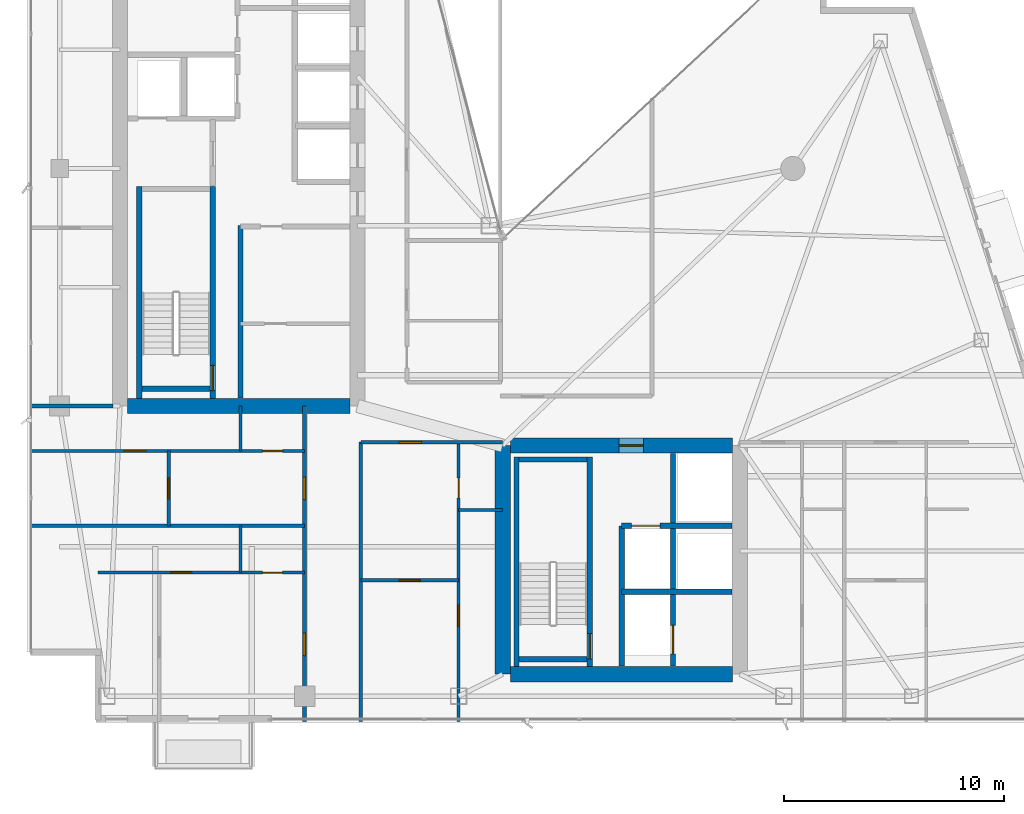
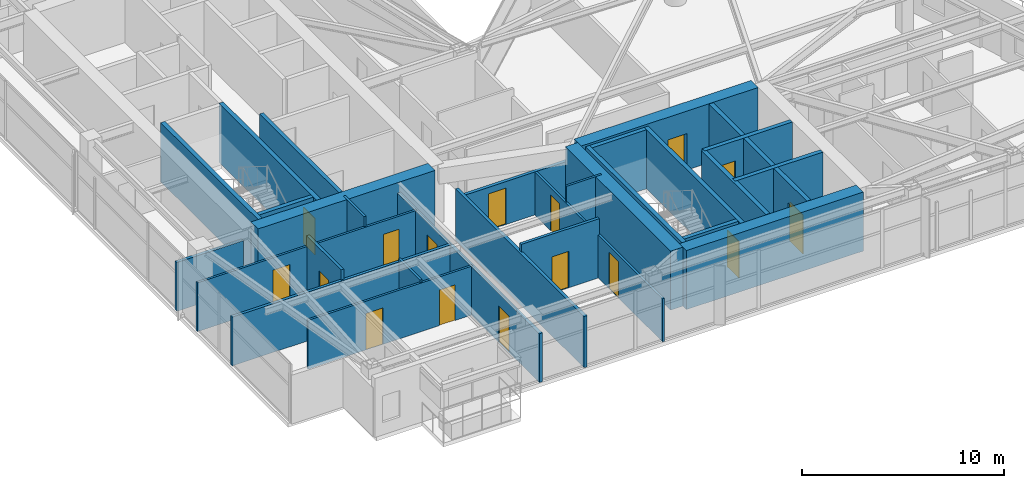
# One storey, part 22 of 27: 29 walls, 16 doors, 16 openings.
"""IFC4 building model written with IfcOpenShell, lengths in metres."""

from ifc_helpers import new_model, si_unit, direction, frame, frame_2d, origin, place, context, subcontext, project, spatial, rectangle, extrude, material, layer, layer_set, type_object, element, fill, save


model = new_model("IFC4")

# Units and contexts
model_context = context("Model", 3, precision=1e-05, world=origin(), true_north=direction((0.0, 1.0)))
body_context = subcontext(model_context, "Body", "Model", "MODEL_VIEW")
ifc_project = project(units=[si_unit("LENGTHUNIT", "METRE"), si_unit("AREAUNIT", "SQUARE_METRE"), si_unit("VOLUMEUNIT", "CUBIC_METRE"), si_unit("PLANEANGLEUNIT", "RADIAN"), si_unit("MASSUNIT", "GRAM", prefix="KILO")], contexts=[model_context])

# Site, building, storey
site_placement = place(None, origin())
site = spatial("IfcSite", under=ifc_project, at=site_placement, CompositionType="ELEMENT")
building_placement = place(site_placement, origin())
building = spatial("IfcBuilding", under=site, at=building_placement, Name="Calvorn Quay Hotel", CompositionType="ELEMENT")
storey_placement = place(building_placement, frame((0.0, 0.0, 223.10009765625)))
storey = spatial("IfcBuildingStorey", under=building, at=storey_placement, Name="L55", CompositionType="ELEMENT", Elevation=223.10009765625)

# Walls
ifc_material_1 = material(Name="Concrete C45", Category="concrete")
ifc_layer_1 = layer(ifc_material_1, 0.699951171875)
ifc_layer_set_1 = layer_set([ifc_layer_1], Name="WL-CORE-700")
wall_type_1 = type_object("IfcWallType", Name="WL-CORE-700", PredefinedType="SHEAR", material=ifc_layer_set_1)
wall_1_placement = place(storey_placement, frame((4.550048828125, 16.800048828125, 0.0), z_axis=(0.0, 0.0, 1.0), x_axis=(1.0, 0.0, 0.0)))
element("IfcWall", 1, at=wall_1_placement, inside=storey, type_object=wall_type_1, Name="West Core Shear Wall S (L55)", PredefinedType="SHEAR", context=body_context, shape_type="SweptSolid", body=[
    extrude(rectangle(XDim=10.099853515625, YDim=0.699951171875, at=frame_2d((5.0498046875, 0.0))), origin(), (0.0, 0.0, 1.0), 3.559814453125),
])
wall_2_placement = place(storey_placement, frame((21.60009765625, 4.60009765625, 0.0), z_axis=(0.0, 0.0, 1.0), x_axis=(0.0, 1.0, 0.0)))
element("IfcWall", 2, at=wall_2_placement, inside=storey, type_object=wall_type_1, Name="East Core Shear Wall W (L55)", PredefinedType="SHEAR", context=body_context, shape_type="SweptSolid", body=[
    extrude(rectangle(XDim=10.39990234375, YDim=0.699951171875, at=frame_2d((5.199951171875, 0.0))), origin(), (0.0, 0.0, 1.0), 3.559814453125),
])

# Wall, opening, door
wall_3_placement = place(storey_placement, frame((21.949951171875, 15.0, 0.0), z_axis=(0.0, 0.0, 1.0), x_axis=(1.0, 0.0, 0.0)))
wall_3 = element("IfcWall", 3, at=wall_3_placement, inside=storey, type_object=wall_type_1, Name="East Core Shear Wall N (L55)", PredefinedType="SHEAR", context=body_context, shape_type="SweptSolid", body=[
    extrude(rectangle(XDim=10.10009765625, YDim=0.699951171875, at=frame_2d((5.050048828125, 0.0))), origin(), (0.0, 0.0, 1.0), 3.559814453125),
])
opening_1_placement = place(wall_3_placement, frame((4.949951171875, 0.0, 0.0)))
opening_1 = element("IfcOpeningElement", 4, at=opening_1_placement, cuts=wall_3, Name="Opening D-L55-FLE", PredefinedType="OPENING", context=body_context, shape_type="SweptSolid", body=[
    extrude(rectangle(XDim=1.10009765625, YDim=2.199951171875, at=frame_2d((0.550048828125, 1.10009765625))), frame((0.0, 0.35986328125, 0.0), z_axis=(0.0, -1.0, 0.0), x_axis=(1.0, 0.0, 0.0)), (0.0, 0.0, 1.0), 0.719970703125),
])
ifc_material_2 = material(Name="Smoke-Sealed Steel Class A Fire Door", Category="steel")
door_type_1 = type_object("IfcDoorType", Name="DR-FFLOBBY-1100", OperationType="NOTDEFINED", PredefinedType="DOOR", material=ifc_material_2)
door_1_placement = place(opening_1_placement, origin())
door_1 = element("IfcDoor", 5, at=door_1_placement, inside=storey, type_object=door_type_1, Name="East Firefighting Lobby Fire Door (L55)", OperationType="SINGLE_SWING_LEFT", OverallHeight=2.199951171875, OverallWidth=1.10009765625, PredefinedType="DOOR", context=body_context, shape_type="SweptSolid", body=[
    extrude(rectangle(XDim=1.10009765625, YDim=2.199951171875, at=frame_2d((0.550048828125, 1.10009765625))), frame((0.0, 0.02490234375, 0.0), z_axis=(0.0, -1.0, 0.0), x_axis=(1.0, 0.0, 0.0)), (0.0, 0.0, 1.0), 0.050048828125),
])
fill(opening_1, door_1)

# Walls
wall_4_placement = place(storey_placement, frame((21.949951171875, 4.60009765625, 0.0), z_axis=(0.0, 0.0, 1.0), x_axis=(1.0, 0.0, 0.0)))
element("IfcWall", 6, at=wall_4_placement, inside=storey, type_object=wall_type_1, Name="East Core Shear Wall S (L55)", PredefinedType="SHEAR", context=body_context, shape_type="SweptSolid", body=[
    extrude(rectangle(XDim=10.10009765625, YDim=0.699951171875, at=frame_2d((5.050048828125, 0.0))), origin(), (0.0, 0.0, 1.0), 3.559814453125),
])
ifc_material_3 = material(Name="Acoustic Fireboard Steel-Stud Partition", Category="steel")
ifc_layer_2 = layer(ifc_material_3, 0.179931640625)
ifc_layer_set_2 = layer_set([ifc_layer_2], Name="WL-CORR-FIRE-180")
wall_type_2 = type_object("IfcWallType", Name="WL-CORR-FIRE-180", PredefinedType="PARTITIONING", material=ifc_layer_set_2)
wall_5_placement = place(storey_placement, frame((0.080078125, 16.800048828125, 0.0), z_axis=(0.0, 0.0, 1.0), x_axis=(1.0, 0.0, 0.0)))
element("IfcWall", 7, at=wall_5_placement, inside=storey, type_object=wall_type_2, Name="Partition Wall L55-WL-WBAY-S-WALL", PredefinedType="PARTITIONING", context=body_context, shape_type="SweptSolid", body=[
    extrude(rectangle(XDim=3.7998046875, YDim=0.179931640625, at=frame_2d((1.89990234375, 0.0))), origin(), (0.0, 0.0, 1.0), 2.93994140625),
])

# Wall, openings, doors
wall_6_placement = place(storey_placement, frame((12.60009765625, 2.43994140625, 0.0), z_axis=(0.0, 0.0, 1.0), x_axis=(0.0, 1.0, 0.0)))
wall_6 = element("IfcWall", 8, at=wall_6_placement, inside=storey, type_object=wall_type_2, Name="Partition Wall L55-WL-CORR-SW-LEG-W", PredefinedType="PARTITIONING", context=body_context, shape_type="SweptSolid", body=[
    extrude(rectangle(XDim=14.360107421875, YDim=0.179931640625, at=frame_2d((7.18017578125, 0.0))), origin(), (0.0, 0.0, 1.0), 2.93994140625),
])
opening_2_placement = place(wall_6_placement, frame((3.010009765625, 0.0, 0.0)))
opening_2 = element("IfcOpeningElement", 9, at=opening_2_placement, cuts=wall_6, Name="Opening D-L55-U01", PredefinedType="OPENING", context=body_context, shape_type="SweptSolid", body=[
    extrude(rectangle(XDim=1.02001953125, YDim=2.199951171875, at=frame_2d((0.510009765625, 1.10009765625))), frame((0.0, 0.099853515625, 0.0), z_axis=(0.0, -1.0, 0.0), x_axis=(1.0, 0.0, 0.0)), (0.0, 0.0, 1.0), 0.199951171875),
])
opening_3_placement = place(wall_6_placement, frame((10.10009765625, 0.0, 0.0)))
opening_3 = element("IfcOpeningElement", 10, at=opening_3_placement, cuts=wall_6, Name="Opening D-L55-U02", PredefinedType="OPENING", context=body_context, shape_type="SweptSolid", body=[
    extrude(rectangle(XDim=1.02001953125, YDim=2.199951171875, at=frame_2d((0.510009765625, 1.10009765625))), frame((0.0, 0.099853515625, 0.0), z_axis=(0.0, -1.0, 0.0), x_axis=(1.0, 0.0, 0.0)), (0.0, 0.0, 1.0), 0.199951171875),
])
ifc_material_4 = material(Name="Solid-Core Walnut Veneer Hotel Fire Door")
door_type_2 = type_object("IfcDoorType", Name="DR-GUEST-ENTRY-1020", OperationType="NOTDEFINED", PredefinedType="DOOR", material=ifc_material_4)
door_2_placement = place(opening_2_placement, origin())
door_2 = element("IfcDoor", 11, at=door_2_placement, inside=storey, type_object=door_type_2, Name="South-West Unit Door U01 (L55)", OperationType="SINGLE_SWING_LEFT", OverallHeight=2.199951171875, OverallWidth=1.02001953125, PredefinedType="DOOR", context=body_context, shape_type="SweptSolid", body=[
    extrude(rectangle(XDim=1.02001953125, YDim=2.199951171875, at=frame_2d((0.510009765625, 1.10009765625))), frame((0.0, 0.02490234375, 0.0), z_axis=(0.0, -1.0, 0.0), x_axis=(1.0, 0.0, 0.0)), (0.0, 0.0, 1.0), 0.050048828125),
])
fill(opening_2, door_2)
door_3_placement = place(opening_3_placement, origin())
door_3 = element("IfcDoor", 12, at=door_3_placement, inside=storey, type_object=door_type_2, Name="South-West Unit Door U02 (L55)", OperationType="SINGLE_SWING_RIGHT", OverallHeight=2.199951171875, OverallWidth=1.02001953125, PredefinedType="DOOR", context=body_context, shape_type="SweptSolid", body=[
    extrude(rectangle(XDim=1.02001953125, YDim=2.199951171875, at=frame_2d((0.510009765625, 1.10009765625))), frame((0.0, 0.02490234375, 0.0), z_axis=(0.0, -1.0, 0.0), x_axis=(1.0, 0.0, 0.0)), (0.0, 0.0, 1.0), 0.050048828125),
])
fill(opening_3, door_3)

# Wall
wall_7_placement = place(storey_placement, frame((15.14990234375, 2.43994140625, 0.0), z_axis=(0.0, 0.0, 1.0), x_axis=(0.0, 1.0, 0.0)))
element("IfcWall", 13, at=wall_7_placement, inside=storey, type_object=wall_type_2, Name="Partition Wall L55-WL-CORR-SW-W", PredefinedType="PARTITIONING", context=body_context, shape_type="SweptSolid", body=[
    extrude(rectangle(XDim=12.7099609375, YDim=0.179931640625, at=frame_2d((6.35498046875, 0.0))), origin(), (0.0, 0.0, 1.0), 3.08984375),
])

# Wall, opening, door
wall_8_placement = place(storey_placement, frame((15.14990234375, 15.14990234375, 0.0), z_axis=(0.0, 0.0, 1.0), x_axis=(1.0, 0.0, 0.0)))
wall_8 = element("IfcWall", 14, at=wall_8_placement, inside=storey, type_object=wall_type_2, Name="Partition Wall L55-WL-SC-CORR-S", PredefinedType="PARTITIONING", context=body_context, shape_type="SweptSolid", body=[
    extrude(rectangle(XDim=6.4501953125, YDim=0.179931640625, at=frame_2d((3.22509765625, 0.0))), origin(), (0.0, 0.0, 1.0), 2.58984375),
])
opening_4_placement = place(wall_8_placement, frame((1.739990234375, 0.0, 0.0)))
opening_4 = element("IfcOpeningElement", 15, at=opening_4_placement, cuts=wall_8, Name="Opening D-L55-U03", PredefinedType="OPENING", context=body_context, shape_type="SweptSolid", body=[
    extrude(rectangle(XDim=1.02001953125, YDim=2.199951171875, at=frame_2d((0.510009765625, 1.10009765625))), frame((0.0, 0.099853515625, 0.0), z_axis=(0.0, -1.0, 0.0), x_axis=(1.0, 0.0, 0.0)), (0.0, 0.0, 1.0), 0.199951171875),
])
door_4_placement = place(opening_4_placement, origin())
door_4 = element("IfcDoor", 16, at=door_4_placement, inside=storey, type_object=door_type_2, Name="Harbour Central Unit Door (L55)", OperationType="SINGLE_SWING_LEFT", OverallHeight=2.199951171875, OverallWidth=1.02001953125, PredefinedType="DOOR", context=body_context, shape_type="SweptSolid", body=[
    extrude(rectangle(XDim=1.02001953125, YDim=2.199951171875, at=frame_2d((0.510009765625, 1.10009765625))), frame((0.0, 0.02490234375, 0.0), z_axis=(0.0, -1.0, 0.0), x_axis=(1.0, 0.0, 0.0)), (0.0, 0.0, 1.0), 0.050048828125),
])
fill(opening_4, door_4)

# Wall
ifc_material_5 = material(Name="Moisture-Resistant Tile-Backed Partition")
ifc_layer_3 = layer(ifc_material_5, 0.125)
ifc_layer_set_3 = layer_set([ifc_layer_3], Name="WL-ENSUITE-125")
wall_type_3 = type_object("IfcWallType", Name="WL-ENSUITE-125", PredefinedType="PARTITIONING", material=ifc_layer_set_3)
wall_9_placement = place(storey_placement, frame((9.679931640625, 9.219970703125, 0.0), z_axis=(0.0, 0.0, 1.0), x_axis=(0.0, 1.0, 0.0)))
element("IfcWall", 17, at=wall_9_placement, inside=storey, type_object=wall_type_3, Name="Partition Wall L55-WL-U01-BDV", PredefinedType="PARTITIONING", context=body_context, shape_type="SweptSolid", body=[
    extrude(rectangle(XDim=2.130126953125, YDim=0.125, at=frame_2d((1.06494140625, 0.0))), origin(), (0.0, 0.0, 1.0), 3.08984375),
])

# Wall, openings, doors
wall_10_placement = place(storey_placement, frame((3.199951171875, 9.219970703125, 0.0), z_axis=(0.0, 0.0, 1.0), x_axis=(1.0, 0.0, 0.0)))
wall_10 = element("IfcWall", 18, at=wall_10_placement, inside=storey, type_object=wall_type_3, Name="Partition Wall L55-WL-U01-BH", PredefinedType="PARTITIONING", context=body_context, shape_type="SweptSolid", body=[
    extrude(rectangle(XDim=9.400146484375, YDim=0.125, at=frame_2d((4.7001953125, 0.0))), origin(), (0.0, 0.0, 1.0), 2.93994140625),
])
opening_5_placement = place(wall_10_placement, frame((3.300048828125, 0.0, 0.0)))
opening_5 = element("IfcOpeningElement", 19, at=opening_5_placement, cuts=wall_10, Name="Opening D-L55-S01", PredefinedType="OPENING", context=body_context, shape_type="SweptSolid", body=[
    extrude(rectangle(XDim=0.9599609375, YDim=2.199951171875, at=frame_2d((0.47998046875, 1.10009765625))), frame((0.0, 0.072509765625, 0.0), z_axis=(0.0, -1.0, 0.0), x_axis=(1.0, 0.0, 0.0)), (0.0, 0.0, 1.0), 0.14501953125),
])
opening_6_placement = place(wall_10_placement, frame((7.489990234375, 0.0, 0.0)))
opening_6 = element("IfcOpeningElement", 20, at=opening_6_placement, cuts=wall_10, Name="Opening D-L55-E01", PredefinedType="OPENING", context=body_context, shape_type="SweptSolid", body=[
    extrude(rectangle(XDim=0.89990234375, YDim=2.14990234375, at=frame_2d((0.449951171875, 1.074951171875))), frame((0.0, 0.072509765625, 0.0), z_axis=(0.0, -1.0, 0.0), x_axis=(1.0, 0.0, 0.0)), (0.0, 0.0, 1.0), 0.14501953125),
])
ifc_material_6 = material(Name="Moisture-Sealed Timber En-Suite Door", Category="wood")
door_type_3 = type_object("IfcDoorType", Name="DR-ENSUITE-900", OperationType="NOTDEFINED", PredefinedType="DOOR", material=ifc_material_6)
door_5_placement = place(opening_6_placement, origin())
door_5 = element("IfcDoor", 21, at=door_5_placement, inside=storey, type_object=door_type_3, Name="En-Suite Door 01", OperationType="SINGLE_SWING_RIGHT", OverallHeight=2.14990234375, OverallWidth=0.89990234375, PredefinedType="DOOR", context=body_context, shape_type="SweptSolid", body=[
    extrude(rectangle(XDim=0.89990234375, YDim=2.14990234375, at=frame_2d((0.449951171875, 1.074951171875))), frame((0.0, 0.02490234375, 0.0), z_axis=(0.0, -1.0, 0.0), x_axis=(1.0, 0.0, 0.0)), (0.0, 0.0, 1.0), 0.050048828125),
])
fill(opening_6, door_5)
ifc_material_7 = material(Name="Solid Timber Internal Suite Door", Category="wood")
door_type_4 = type_object("IfcDoorType", Name="DR-SUITE-INT-960", OperationType="NOTDEFINED", PredefinedType="DOOR", material=ifc_material_7)
door_6_placement = place(opening_5_placement, origin())
door_6 = element("IfcDoor", 22, at=door_6_placement, inside=storey, type_object=door_type_4, Name="Private Executive Study Door 01", OperationType="SINGLE_SWING_LEFT", OverallHeight=2.199951171875, OverallWidth=0.9599609375, PredefinedType="DOOR", context=body_context, shape_type="SweptSolid", body=[
    extrude(rectangle(XDim=0.9599609375, YDim=2.199951171875, at=frame_2d((0.47998046875, 1.10009765625))), frame((0.0, 0.02490234375, 0.0), z_axis=(0.0, -1.0, 0.0), x_axis=(1.0, 0.0, 0.0)), (0.0, 0.0, 1.0), 0.050048828125),
])
fill(opening_5, door_6)

# Wall
wall_11_placement = place(storey_placement, frame((9.679931640625, 14.75, 0.0), z_axis=(0.0, 0.0, 1.0), x_axis=(0.0, 1.0, 0.0)))
element("IfcWall", 23, at=wall_11_placement, inside=storey, type_object=wall_type_3, Name="Partition Wall L55-WL-U02-BDV", PredefinedType="PARTITIONING", context=body_context, shape_type="SweptSolid", body=[
    extrude(rectangle(XDim=2.050048828125, YDim=0.125, at=frame_2d((1.02490234375, 0.0))), origin(), (0.0, 0.0, 1.0), 3.559814453125),
])

# Wall, openings, doors
wall_12_placement = place(storey_placement, frame((0.080078125, 14.75, 0.0), z_axis=(0.0, 0.0, 1.0), x_axis=(1.0, 0.0, 0.0)))
wall_12 = element("IfcWall", 24, at=wall_12_placement, inside=storey, type_object=wall_type_3, Name="Partition Wall L55-WL-U02-BH", PredefinedType="PARTITIONING", context=body_context, shape_type="SweptSolid", body=[
    extrude(rectangle(XDim=12.52001953125, YDim=0.125, at=frame_2d((6.260009765625, 0.0))), origin(), (0.0, 0.0, 1.0), 2.93994140625),
])
opening_7_placement = place(wall_12_placement, frame((4.320068359375, 0.0, 0.0)))
opening_7 = element("IfcOpeningElement", 25, at=opening_7_placement, cuts=wall_12, Name="Opening D-L55-S02", PredefinedType="OPENING", context=body_context, shape_type="SweptSolid", body=[
    extrude(rectangle(XDim=0.9599609375, YDim=2.199951171875, at=frame_2d((0.47998046875, 1.10009765625))), frame((0.0, 0.072509765625, 0.0), z_axis=(0.0, -1.0, 0.0), x_axis=(1.0, 0.0, 0.0)), (0.0, 0.0, 1.0), 0.14501953125),
])
opening_8_placement = place(wall_12_placement, frame((10.610107421875, 0.0, 0.0)))
opening_8 = element("IfcOpeningElement", 26, at=opening_8_placement, cuts=wall_12, Name="Opening D-L55-E02", PredefinedType="OPENING", context=body_context, shape_type="SweptSolid", body=[
    extrude(rectangle(XDim=0.89990234375, YDim=2.14990234375, at=frame_2d((0.449951171875, 1.074951171875))), frame((0.0, 0.072509765625, 0.0), z_axis=(0.0, -1.0, 0.0), x_axis=(1.0, 0.0, 0.0)), (0.0, 0.0, 1.0), 0.14501953125),
])
door_7_placement = place(opening_8_placement, origin())
door_7 = element("IfcDoor", 27, at=door_7_placement, inside=storey, type_object=door_type_3, Name="En-Suite Door 02", OperationType="SINGLE_SWING_RIGHT", OverallHeight=2.14990234375, OverallWidth=0.89990234375, PredefinedType="DOOR", context=body_context, shape_type="SweptSolid", body=[
    extrude(rectangle(XDim=0.89990234375, YDim=2.14990234375, at=frame_2d((0.449951171875, 1.074951171875))), frame((0.0, 0.02490234375, 0.0), z_axis=(0.0, -1.0, 0.0), x_axis=(1.0, 0.0, 0.0)), (0.0, 0.0, 1.0), 0.050048828125),
])
fill(opening_8, door_7)
door_8_placement = place(opening_7_placement, origin())
door_8 = element("IfcDoor", 28, at=door_8_placement, inside=storey, type_object=door_type_4, Name="Private Executive Study Door 02", OperationType="SINGLE_SWING_LEFT", OverallHeight=2.199951171875, OverallWidth=0.9599609375, PredefinedType="DOOR", context=body_context, shape_type="SweptSolid", body=[
    extrude(rectangle(XDim=0.9599609375, YDim=2.199951171875, at=frame_2d((0.47998046875, 1.10009765625))), frame((0.0, 0.02490234375, 0.0), z_axis=(0.0, -1.0, 0.0), x_axis=(1.0, 0.0, 0.0)), (0.0, 0.0, 1.0), 0.050048828125),
])
fill(opening_7, door_8)

# Wall
wall_13_placement = place(storey_placement, frame((19.60009765625, 12.070068359375, 0.0), z_axis=(0.0, 0.0, 1.0), x_axis=(1.0, 0.0, 0.0)))
element("IfcWall", 29, at=wall_13_placement, inside=storey, type_object=wall_type_3, Name="Partition Wall L55-WL-U03-BDV", PredefinedType="PARTITIONING", context=body_context, shape_type="SweptSolid", body=[
    extrude(rectangle(XDim=2.0, YDim=0.125, at=frame_2d((1.0, 0.0))), origin(), (0.0, 0.0, 1.0), 3.559814453125),
])

# Wall, openings, doors
wall_14_placement = place(storey_placement, frame((19.60009765625, 2.43994140625, 0.0), z_axis=(0.0, 0.0, 1.0), x_axis=(0.0, 1.0, 0.0)))
wall_14 = element("IfcWall", 30, at=wall_14_placement, inside=storey, type_object=wall_type_3, Name="Partition Wall L55-WL-U03-BV", PredefinedType="PARTITIONING", context=body_context, shape_type="SweptSolid", body=[
    extrude(rectangle(XDim=12.7099609375, YDim=0.125, at=frame_2d((6.35498046875, 0.0))), origin(), (0.0, 0.0, 1.0), 2.58984375),
])
opening_9_placement = place(wall_14_placement, frame((4.340087890625, 0.0, 0.0)))
opening_9 = element("IfcOpeningElement", 31, at=opening_9_placement, cuts=wall_14, Name="Opening D-L55-S03", PredefinedType="OPENING", context=body_context, shape_type="SweptSolid", body=[
    extrude(rectangle(XDim=0.9599609375, YDim=2.199951171875, at=frame_2d((0.47998046875, 1.10009765625))), frame((0.0, 0.072509765625, 0.0), z_axis=(0.0, -1.0, 0.0), x_axis=(1.0, 0.0, 0.0)), (0.0, 0.0, 1.0), 0.14501953125),
])
opening_10_placement = place(wall_14_placement, frame((10.179931640625, 0.0, 0.0)))
opening_10 = element("IfcOpeningElement", 32, at=opening_10_placement, cuts=wall_14, Name="Opening D-L55-E03", PredefinedType="OPENING", context=body_context, shape_type="SweptSolid", body=[
    extrude(rectangle(XDim=0.89990234375, YDim=2.14990234375, at=frame_2d((0.449951171875, 1.074951171875))), frame((0.0, 0.072509765625, 0.0), z_axis=(0.0, -1.0, 0.0), x_axis=(1.0, 0.0, 0.0)), (0.0, 0.0, 1.0), 0.14501953125),
])
door_9_placement = place(opening_10_placement, origin())
door_9 = element("IfcDoor", 33, at=door_9_placement, inside=storey, type_object=door_type_3, Name="En-Suite Door 03", OperationType="SINGLE_SWING_RIGHT", OverallHeight=2.14990234375, OverallWidth=0.89990234375, PredefinedType="DOOR", context=body_context, shape_type="SweptSolid", body=[
    extrude(rectangle(XDim=0.89990234375, YDim=2.14990234375, at=frame_2d((0.449951171875, 1.074951171875))), frame((0.0, 0.02490234375, 0.0), z_axis=(0.0, -1.0, 0.0), x_axis=(1.0, 0.0, 0.0)), (0.0, 0.0, 1.0), 0.050048828125),
])
fill(opening_10, door_9)
door_10_placement = place(opening_9_placement, origin())
door_10 = element("IfcDoor", 34, at=door_10_placement, inside=storey, type_object=door_type_4, Name="Private Executive Study Door 03", OperationType="SINGLE_SWING_LEFT", OverallHeight=2.199951171875, OverallWidth=0.9599609375, PredefinedType="DOOR", context=body_context, shape_type="SweptSolid", body=[
    extrude(rectangle(XDim=0.9599609375, YDim=2.199951171875, at=frame_2d((0.47998046875, 1.10009765625))), frame((0.0, 0.02490234375, 0.0), z_axis=(0.0, -1.0, 0.0), x_axis=(1.0, 0.0, 0.0)), (0.0, 0.0, 1.0), 0.050048828125),
])
fill(opening_9, door_10)

# Wall, opening, door
ifc_material_8 = material(Name="Double-Stud Acoustic Gypsum Partition")
ifc_layer_4 = layer(ifc_material_8, 0.159912109375)
ifc_layer_set_4 = layer_set([ifc_layer_4], Name="WL-INTERSUITE-160")
wall_type_4 = type_object("IfcWallType", Name="WL-INTERSUITE-160", PredefinedType="PARTITIONING", material=ifc_layer_set_4)
wall_15_placement = place(storey_placement, frame((6.419921875, 11.35009765625, 0.0), z_axis=(0.0, 0.0, 1.0), x_axis=(0.0, 1.0, 0.0)))
wall_15 = element("IfcWall", 35, at=wall_15_placement, inside=storey, type_object=wall_type_4, Name="Partition Wall L55-WL-U02-MSP", PredefinedType="PARTITIONING", context=body_context, shape_type="SweptSolid", body=[
    extrude(rectangle(XDim=3.39990234375, YDim=0.159912109375, at=frame_2d((1.699951171875, 0.0))), origin(), (0.0, 0.0, 1.0), 3.559814453125),
])
opening_11_placement = place(wall_15_placement, frame((1.219970703125, 0.0, 0.0)))
opening_11 = element("IfcOpeningElement", 36, at=opening_11_placement, cuts=wall_15, Name="Opening D-L55-M02", PredefinedType="OPENING", context=body_context, shape_type="SweptSolid", body=[
    extrude(rectangle(XDim=0.9599609375, YDim=2.199951171875, at=frame_2d((0.47998046875, 1.10009765625))), frame((0.0, 0.08984375, 0.0), z_axis=(0.0, -1.0, 0.0), x_axis=(1.0, 0.0, 0.0)), (0.0, 0.0, 1.0), 0.179931640625),
])
door_11_placement = place(opening_11_placement, origin())
door_11 = element("IfcDoor", 37, at=door_11_placement, inside=storey, type_object=door_type_4, Name="Suite Bedroom Door 02", OperationType="SINGLE_SWING_LEFT", OverallHeight=2.199951171875, OverallWidth=0.9599609375, PredefinedType="DOOR", context=body_context, shape_type="SweptSolid", body=[
    extrude(rectangle(XDim=0.9599609375, YDim=2.199951171875, at=frame_2d((0.47998046875, 1.10009765625))), frame((0.0, 0.02490234375, 0.0), z_axis=(0.0, -1.0, 0.0), x_axis=(1.0, 0.0, 0.0)), (0.0, 0.0, 1.0), 0.050048828125),
])
fill(opening_11, door_11)

# Wall
wall_16_placement = place(storey_placement, frame((0.080078125, 11.35009765625, 0.0), z_axis=(0.0, 0.0, 1.0), x_axis=(1.0, 0.0, 0.0)))
element("IfcWall", 38, at=wall_16_placement, inside=storey, type_object=wall_type_4, Name="Partition Wall L55-WL-SW-DIV-1", PredefinedType="PARTITIONING", context=body_context, shape_type="SweptSolid", body=[
    extrude(rectangle(XDim=12.52001953125, YDim=0.159912109375, at=frame_2d((6.260009765625, 0.0))), origin(), (0.0, 0.0, 1.0), 2.93994140625),
])

# Wall, opening, door
wall_17_placement = place(storey_placement, frame((15.14990234375, 8.8701171875, 0.0), z_axis=(0.0, 0.0, 1.0), x_axis=(1.0, 0.0, 0.0)))
wall_17 = element("IfcWall", 39, at=wall_17_placement, inside=storey, type_object=wall_type_4, Name="Partition Wall L55-WL-U03-MSP", PredefinedType="PARTITIONING", context=body_context, shape_type="SweptSolid", body=[
    extrude(rectangle(XDim=4.4501953125, YDim=0.159912109375, at=frame_2d((2.22509765625, 0.0))), origin(), (0.0, 0.0, 1.0), 3.559814453125),
])
opening_12_placement = place(wall_17_placement, frame((1.75, 0.0, 0.0)))
opening_12 = element("IfcOpeningElement", 40, at=opening_12_placement, cuts=wall_17, Name="Opening D-L55-M03", PredefinedType="OPENING", context=body_context, shape_type="SweptSolid", body=[
    extrude(rectangle(XDim=0.9599609375, YDim=2.199951171875, at=frame_2d((0.47998046875, 1.10009765625))), frame((0.0, 0.08984375, 0.0), z_axis=(0.0, -1.0, 0.0), x_axis=(1.0, 0.0, 0.0)), (0.0, 0.0, 1.0), 0.179931640625),
])
door_12_placement = place(opening_12_placement, origin())
door_12 = element("IfcDoor", 41, at=door_12_placement, inside=storey, type_object=door_type_4, Name="Suite Bedroom Door 03", OperationType="SINGLE_SWING_LEFT", OverallHeight=2.199951171875, OverallWidth=0.9599609375, PredefinedType="DOOR", context=body_context, shape_type="SweptSolid", body=[
    extrude(rectangle(XDim=0.9599609375, YDim=2.199951171875, at=frame_2d((0.47998046875, 1.10009765625))), frame((0.0, 0.02490234375, 0.0), z_axis=(0.0, -1.0, 0.0), x_axis=(1.0, 0.0, 0.0)), (0.0, 0.0, 1.0), 0.050048828125),
])
fill(opening_12, door_12)

# Walls
ifc_material_9 = material(Name="Autoclaved Aerated Masonry Block", Category="masonry")
ifc_layer_5 = layer(ifc_material_9, 0.219970703125)
ifc_layer_set_5 = layer_set([ifc_layer_5], Name="WL-LOBBY-FIRE-220")
wall_type_5 = type_object("IfcWallType", Name="WL-LOBBY-FIRE-220", PredefinedType="SOLIDWALL", material=ifc_layer_set_5)
wall_18_placement = place(storey_placement, frame((9.679931640625, 17.169921875, 0.0), z_axis=(0.0, 0.0, 1.0), x_axis=(0.0, 1.0, 0.0)))
element("IfcWall", 42, at=wall_18_placement, inside=storey, type_object=wall_type_5, Name="Partition Wall L55-WL-CWW-STW-HALL-E", PredefinedType="SOLIDWALL", context=body_context, shape_type="SweptSolid", body=[
    extrude(rectangle(XDim=7.830078125, YDim=0.219970703125, at=frame_2d((3.9150390625, 0.0))), origin(), (0.0, 0.0, 1.0), 3.559814453125),
])
ifc_material_10 = material(Name="Concrete C40", Category="concrete")
ifc_layer_6 = layer(ifc_material_10, 0.239990234375)
ifc_layer_set_6 = layer_set([ifc_layer_6], Name="WL-SHAFT-240")
wall_type_6 = type_object("IfcWallType", Name="WL-SHAFT-240", PredefinedType="SOLIDWALL", material=ifc_layer_set_6)
wall_19_placement = place(storey_placement, frame((5.080078125, 17.14990234375, 0.0), z_axis=(0.0, 0.0, 1.0), x_axis=(0.0, 1.0, 0.0)))
element("IfcWall", 43, at=wall_19_placement, inside=storey, type_object=wall_type_6, Name="Stair STW Shaft Wall W (L55)", PredefinedType="SOLIDWALL", context=body_context, shape_type="SweptSolid", body=[
    extrude(rectangle(XDim=9.64013671875, YDim=0.239990234375, at=frame_2d((4.820068359375, 0.0))), origin(), (0.0, 0.0, 1.0), 3.559814453125),
])

# Wall, opening, door
wall_20_placement = place(storey_placement, frame((8.419921875, 17.14990234375, 0.0), z_axis=(0.0, 0.0, 1.0), x_axis=(0.0, 1.0, 0.0)))
wall_20 = element("IfcWall", 44, at=wall_20_placement, inside=storey, type_object=wall_type_6, Name="Stair STW Shaft Wall E (L55)", PredefinedType="SOLIDWALL", context=body_context, shape_type="SweptSolid", body=[
    extrude(rectangle(XDim=9.64013671875, YDim=0.239990234375, at=frame_2d((4.820068359375, 0.0))), origin(), (0.0, 0.0, 1.0), 3.559814453125),
])
opening_13_placement = place(wall_20_placement, frame((0.35009765625, 0.0, 0.0)))
opening_13 = element("IfcOpeningElement", 45, at=opening_13_placement, cuts=wall_20, Name="Opening D-L55-STW", PredefinedType="OPENING", context=body_context, shape_type="SweptSolid", body=[
    extrude(rectangle(XDim=1.14990234375, YDim=2.199951171875, at=frame_2d((0.574951171875, 1.10009765625))), frame((0.0, 0.1298828125, 0.0), z_axis=(0.0, -1.0, 0.0), x_axis=(1.0, 0.0, 0.0)), (0.0, 0.0, 1.0), 0.260009765625),
])
ifc_material_11 = material(Name="Galvanised Steel Class A Fire Door", Category="steel")
door_type_5 = type_object("IfcDoorType", Name="DR-STAIR-SMOKE-1150", OperationType="NOTDEFINED", PredefinedType="DOOR", material=ifc_material_11)
door_13_placement = place(opening_13_placement, origin())
door_13 = element("IfcDoor", 46, at=door_13_placement, inside=storey, type_object=door_type_5, Name="Stair ST-W Fire Door (L55)", OperationType="SINGLE_SWING_LEFT", OverallHeight=2.199951171875, OverallWidth=1.14990234375, PredefinedType="DOOR", context=body_context, shape_type="SweptSolid", body=[
    extrude(rectangle(XDim=1.14990234375, YDim=2.199951171875, at=frame_2d((0.574951171875, 1.10009765625))), frame((0.0, 0.02490234375, 0.0), z_axis=(0.0, -1.0, 0.0), x_axis=(1.0, 0.0, 0.0)), (0.0, 0.0, 1.0), 0.050048828125),
])
fill(opening_13, door_13)

# Walls
wall_21_placement = place(storey_placement, frame((5.199951171875, 17.580078125, 0.0), z_axis=(0.0, 0.0, 1.0), x_axis=(1.0, 0.0, 0.0)))
element("IfcWall", 47, at=wall_21_placement, inside=storey, type_object=wall_type_6, Name="Stair STW Shaft Wall S (L55)", PredefinedType="SOLIDWALL", context=body_context, shape_type="SweptSolid", body=[
    extrude(rectangle(XDim=3.10009765625, YDim=0.239990234375, at=frame_2d((1.550048828125, 0.0))), origin(), (0.0, 0.0, 1.0), 3.559814453125),
])
wall_22_placement = place(storey_placement, frame((22.22998046875, 4.949951171875, 0.0), z_axis=(0.0, 0.0, 1.0), x_axis=(0.0, 1.0, 0.0)))
element("IfcWall", 48, at=wall_22_placement, inside=storey, type_object=wall_type_6, Name="Stair STE Shaft Wall W (L55)", PredefinedType="SOLIDWALL", context=body_context, shape_type="SweptSolid", body=[
    extrude(rectangle(XDim=9.5400390625, YDim=0.239990234375, at=frame_2d((4.77001953125, 0.0))), origin(), (0.0, 0.0, 1.0), 3.559814453125),
])

# Wall, opening, door
wall_23_placement = place(storey_placement, frame((25.570068359375, 4.949951171875, 0.0), z_axis=(0.0, 0.0, 1.0), x_axis=(0.0, 1.0, 0.0)))
wall_23 = element("IfcWall", 49, at=wall_23_placement, inside=storey, type_object=wall_type_6, Name="Stair STE Shaft Wall E (L55)", PredefinedType="SOLIDWALL", context=body_context, shape_type="SweptSolid", body=[
    extrude(rectangle(XDim=9.5400390625, YDim=0.239990234375, at=frame_2d((4.77001953125, 0.0))), origin(), (0.0, 0.0, 1.0), 3.559814453125),
])
opening_14_placement = place(wall_23_placement, frame((0.35009765625, 0.0, 0.0)))
opening_14 = element("IfcOpeningElement", 50, at=opening_14_placement, cuts=wall_23, Name="Opening D-L55-STE", PredefinedType="OPENING", context=body_context, shape_type="SweptSolid", body=[
    extrude(rectangle(XDim=1.14990234375, YDim=2.199951171875, at=frame_2d((0.574951171875, 1.10009765625))), frame((0.0, 0.1298828125, 0.0), z_axis=(0.0, -1.0, 0.0), x_axis=(1.0, 0.0, 0.0)), (0.0, 0.0, 1.0), 0.260009765625),
])
door_14_placement = place(opening_14_placement, origin())
door_14 = element("IfcDoor", 51, at=door_14_placement, inside=storey, type_object=door_type_5, Name="Stair ST-E Fire Door (L55)", OperationType="SINGLE_SWING_RIGHT", OverallHeight=2.199951171875, OverallWidth=1.14990234375, PredefinedType="DOOR", context=body_context, shape_type="SweptSolid", body=[
    extrude(rectangle(XDim=1.14990234375, YDim=2.199951171875, at=frame_2d((0.574951171875, 1.10009765625))), frame((0.0, 0.02490234375, 0.0), z_axis=(0.0, -1.0, 0.0), x_axis=(1.0, 0.0, 0.0)), (0.0, 0.0, 1.0), 0.050048828125),
])
fill(opening_14, door_14)

# Walls
for number, where, z_axis, x_axis, name in (
    (52, (22.35009765625, 5.280029296875, 0.0), (0.0, 0.0, 1.0), (1.0, 0.0, 0.0), "Stair STE Shaft Wall S (L55)"),
    (53, (22.35009765625, 14.3701171875, 0.0), (0.0, 0.0, 1.0), (1.0, 0.0, 0.0), "Stair STE Shaft Wall N (L55)"),
):
    element("IfcWall", number, at=place(storey_placement, frame(where, z_axis=z_axis, x_axis=x_axis)), inside=storey, type_object=wall_type_6, Name=name, PredefinedType="SOLIDWALL", context=body_context, shape_type="SweptSolid", body=[
        extrude(rectangle(XDim=3.099853515625, YDim=0.239990234375, at=frame_2d((1.5498046875, 0.0))), origin(), (0.0, 0.0, 1.0), 3.559814453125),
    ])
wall_24_placement = place(storey_placement, frame((27.02001953125, 4.969970703125, 0.0), z_axis=(0.0, 0.0, 1.0), x_axis=(0.0, 1.0, 0.0)))
element("IfcWall", 54, at=wall_24_placement, inside=storey, type_object=wall_type_6, Name="Partition Wall L55-WL-CWE-SH-W", PredefinedType="SOLIDWALL", context=body_context, shape_type="SweptSolid", body=[
    extrude(rectangle(XDim=6.380126953125, YDim=0.239990234375, at=frame_2d((3.18994140625, 0.0))), origin(), (0.0, 0.0, 1.0), 3.559814453125),
])

# Wall, opening, door
wall_25_placement = place(storey_placement, frame((27.02001953125, 11.35009765625, 0.0), z_axis=(0.0, 0.0, 1.0), x_axis=(1.0, 0.0, 0.0)))
wall_25 = element("IfcWall", 55, at=wall_25_placement, inside=storey, type_object=wall_type_6, Name="Partition Wall L55-WL-CWE-FFL-S", PredefinedType="SOLIDWALL", context=body_context, shape_type="SweptSolid", body=[
    extrude(rectangle(XDim=5.010009765625, YDim=0.239990234375, at=frame_2d((2.5048828125, 0.0))), origin(), (0.0, 0.0, 1.0), 3.559814453125),
])
opening_15_placement = place(wall_25_placement, frame((0.449951171875, 0.0, 0.0)))
opening_15 = element("IfcOpeningElement", 56, at=opening_15_placement, cuts=wall_25, Name="Opening LD-L55-FLE1", PredefinedType="OPENING", context=body_context, shape_type="SweptSolid", body=[
    extrude(rectangle(XDim=1.300048828125, YDim=2.35009765625, at=frame_2d((0.64990234375, 1.175048828125))), frame((0.0, 0.1298828125, 0.0), z_axis=(0.0, -1.0, 0.0), x_axis=(1.0, 0.0, 0.0)), (0.0, 0.0, 1.0), 0.260009765625),
])
ifc_material_12 = material(Name="Champagne-Bronze Sliding Express Lift Landing Door")
door_type_6 = type_object("IfcDoorType", Name="DR-LIFT-SHUTTLE-1300", OperationType="NOTDEFINED", PredefinedType="DOOR", material=ifc_material_12)
door_15_placement = place(opening_15_placement, origin())
door_15 = element("IfcDoor", 57, at=door_15_placement, inside=storey, type_object=door_type_6, Name="Firefighting Lift FL-E1 Landing Door (L55)", OperationType="DOUBLE_DOOR_SLIDING", OverallHeight=2.35009765625, OverallWidth=1.300048828125, PredefinedType="DOOR", context=body_context, shape_type="SweptSolid", body=[
    extrude(rectangle(XDim=1.300048828125, YDim=2.35009765625, at=frame_2d((0.64990234375, 1.175048828125))), frame((0.0, 0.02490234375, 0.0), z_axis=(0.0, -1.0, 0.0), x_axis=(1.0, 0.0, 0.0)), (0.0, 0.0, 1.0), 0.050048828125),
])
fill(opening_15, door_15)

# Wall
wall_26_placement = place(storey_placement, frame((27.02001953125, 8.35009765625, 0.0), z_axis=(0.0, 0.0, 1.0), x_axis=(1.0, 0.0, 0.0)))
element("IfcWall", 58, at=wall_26_placement, inside=storey, type_object=wall_type_6, Name="Partition Wall L55-WL-CWE-SL-N", PredefinedType="SOLIDWALL", context=body_context, shape_type="SweptSolid", body=[
    extrude(rectangle(XDim=5.010009765625, YDim=0.239990234375, at=frame_2d((2.5048828125, 0.0))), origin(), (0.0, 0.0, 1.0), 3.559814453125),
])

# Wall, opening, door
wall_27_placement = place(storey_placement, frame((29.35009765625, 4.969970703125, 0.0), z_axis=(0.0, 0.0, 1.0), x_axis=(0.0, 1.0, 0.0)))
wall_27 = element("IfcWall", 59, at=wall_27_placement, inside=storey, type_object=wall_type_6, Name="Partition Wall L55-WL-CWE-OB-W", PredefinedType="SOLIDWALL", context=body_context, shape_type="SweptSolid", body=[
    extrude(rectangle(XDim=9.659912109375, YDim=0.239990234375, at=frame_2d((4.830078125, 0.0))), origin(), (0.0, 0.0, 1.0), 3.559814453125),
])
opening_16_placement = place(wall_27_placement, frame((0.550048828125, 0.0, 0.0)))
opening_16 = element("IfcOpeningElement", 60, at=opening_16_placement, cuts=wall_27, Name="Opening LD-L55-SLEI", PredefinedType="OPENING", context=body_context, shape_type="SweptSolid", body=[
    extrude(rectangle(XDim=1.300048828125, YDim=2.35009765625, at=frame_2d((0.64990234375, 1.175048828125))), frame((0.0, 0.1298828125, 0.0), z_axis=(0.0, -1.0, 0.0), x_axis=(1.0, 0.0, 0.0)), (0.0, 0.0, 1.0), 0.260009765625),
])
door_16_placement = place(opening_16_placement, origin())
door_16 = element("IfcDoor", 61, at=door_16_placement, inside=storey, type_object=door_type_6, Name="Service Lift SL-E1 Landing Door (L55)", OperationType="DOUBLE_DOOR_SLIDING", OverallHeight=2.35009765625, OverallWidth=1.300048828125, PredefinedType="DOOR", context=body_context, shape_type="SweptSolid", body=[
    extrude(rectangle(XDim=1.300048828125, YDim=2.35009765625, at=frame_2d((0.64990234375, 1.175048828125))), frame((0.0, 0.02490234375, 0.0), z_axis=(0.0, -1.0, 0.0), x_axis=(1.0, 0.0, 0.0)), (0.0, 0.0, 1.0), 0.050048828125),
])
fill(opening_16, door_16)

save(model, "model.ifc")
